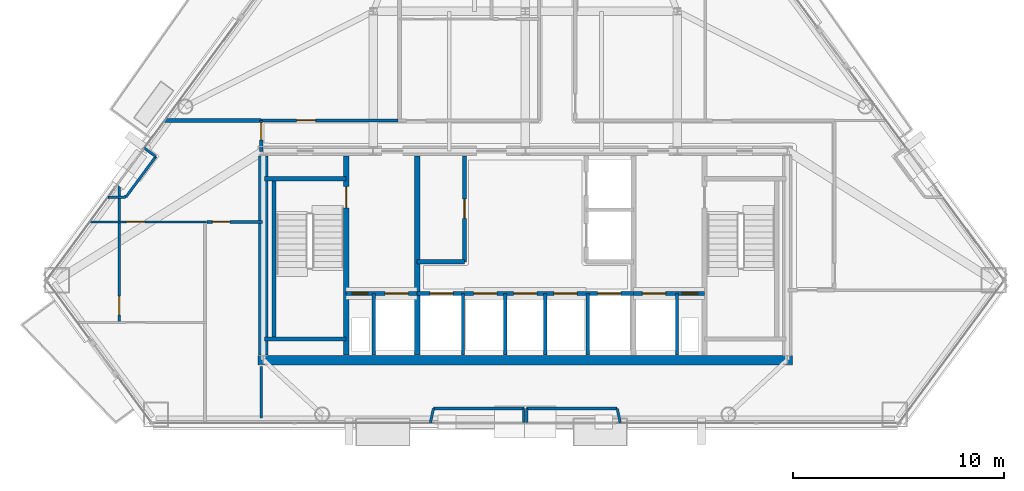
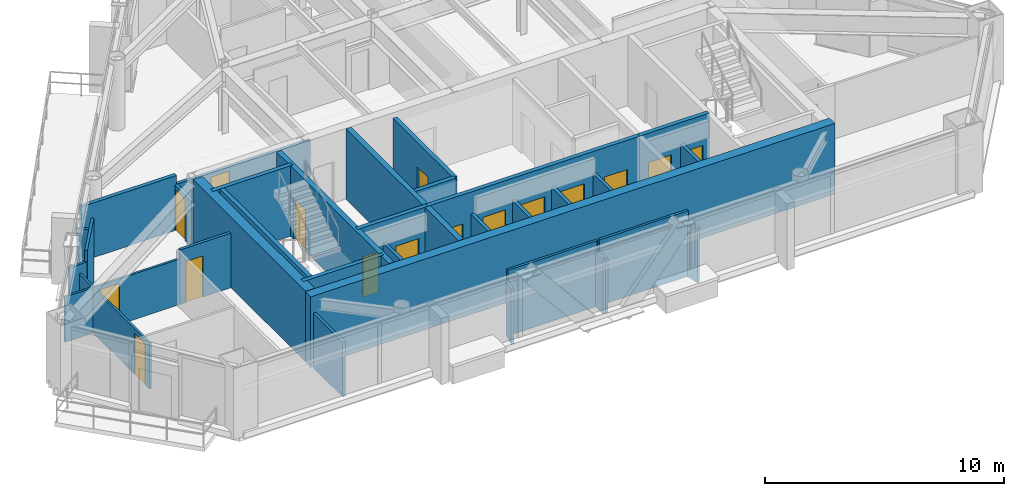
# One storey, part 7 of 11: 34 walls, 16 doors, 16 openings.
"""IFC4 building model written with IfcOpenShell, lengths in metres."""

from ifc_helpers import new_model, si_unit, direction, frame, frame_2d, origin, place, context, subcontext, project, spatial, rectangle, extrude, material, layer, layer_set, type_object, element, fill, save


model = new_model("IFC4")

# Units and contexts
model_context = context("Model", 3, precision=1e-05, world=origin(), true_north=direction((0.0, 1.0)))
body_context = subcontext(model_context, "Body", "Model", "MODEL_VIEW")
ifc_project = project(units=[si_unit("LENGTHUNIT", "METRE"), si_unit("AREAUNIT", "SQUARE_METRE"), si_unit("VOLUMEUNIT", "CUBIC_METRE"), si_unit("PLANEANGLEUNIT", "RADIAN"), si_unit("MASSUNIT", "GRAM", prefix="KILO")], contexts=[model_context])

# Site, building, storey
site_placement = place(None, origin())
site = spatial("IfcSite", under=ifc_project, at=site_placement, CompositionType="ELEMENT")
building_placement = place(site_placement, origin())
building = spatial("IfcBuilding", under=site, at=building_placement, Name="Talgorran Terracotta Tower", CompositionType="ELEMENT")
storey_placement = place(building_placement, frame((0.0, 0.0, 150.89990234375)))
storey = spatial("IfcBuildingStorey", under=building, at=storey_placement, Name="L39", CompositionType="ELEMENT", Elevation=150.89990234375)

# Walls
ifc_material_1 = material(Name="Concrete C50/60", Category="concrete")
ifc_layer_1 = layer(ifc_material_1, 0.199951171875, Name="WT_CORE_200")
ifc_layer_set_1 = layer_set([ifc_layer_1], Name="Concrete C50/60")
wall_type_1 = type_object("IfcWallType", Name="WT_CORE_200", PredefinedType="SOLIDWALL", material=ifc_layer_set_1)
for number, where, z_axis, x_axis, name in (
    (1, (-12.35009765625, -5.52001953125, 0.0), (0.0, 0.0, 1.0), (1.0, 0.0, 0.0), "WL-L39-CW-ST1-N"),
    (2, (-12.35009765625, -13.10009765625, 0.0), (0.0, 0.0, 1.0), (1.0, 0.0, 0.0), "WL-L39-CW-ST1-S"),
):
    element("IfcWall", number, at=place(storey_placement, frame(where, z_axis=z_axis, x_axis=x_axis)), inside=storey, type_object=wall_type_1, Name=name, PredefinedType="SOLIDWALL", context=body_context, shape_type="SweptSolid", body=[
        extrude(rectangle(XDim=3.8701171875, YDim=0.199951171875, at=frame_2d((1.93505859375, 0.0))), origin(), (0.0, 0.0, 1.0), 3.60009765625),
    ])
wall_1_placement = place(storey_placement, frame((-11.89990234375, -13.10009765625, 0.0), z_axis=(0.0, 0.0, 1.0), x_axis=(0.0, 1.0, 0.0)))
element("IfcWall", 3, at=wall_1_placement, inside=storey, type_object=wall_type_1, Name="WL-L39-CW-ST1-W", PredefinedType="SOLIDWALL", context=body_context, shape_type="SweptSolid", body=[
    extrude(rectangle(XDim=7.580078125, YDim=0.199951171875, at=frame_2d((3.7900390625, 0.0))), origin(), (0.0, 0.0, 1.0), 3.60009765625),
])

# Wall, openings, doors
wall_2_placement = place(storey_placement, frame((-8.47998046875, -10.949951171875, 0.0), z_axis=(0.0, 0.0, 1.0), x_axis=(1.0, 0.0, 0.0)))
wall_2 = element("IfcWall", 4, at=wall_2_placement, inside=storey, type_object=wall_type_1, Name="WL-L39-CW-H-SBW", PredefinedType="SOLIDWALL", context=body_context, shape_type="SweptSolid", body=[
    extrude(rectangle(XDim=3.35986328125, YDim=0.199951171875, at=frame_2d((1.679931640625, 0.0))), origin(), (0.0, 0.0, 1.0), 3.60009765625),
])
opening_1_placement = place(wall_2_placement, frame((0.280029296875, 0.0, 0.0)))
opening_1 = element("IfcOpeningElement", 5, at=opening_1_placement, cuts=wall_2, Name="Opening DR-RSW", PredefinedType="OPENING", context=body_context, shape_type="SweptSolid", body=[
    extrude(rectangle(XDim=0.756, YDim=2.054048828125, at=frame_2d((0.375, 1.027099609375))), frame((0.0, 0.10986328125, 0.0), z_axis=(0.0, -1.0, 0.0), x_axis=(1.0, 0.0, 0.0)), (0.0, 0.0, 1.0), 0.219970703125),
])
opening_2_placement = place(wall_2_placement, frame((1.85009765625, 0.0, 0.0)))
opening_2 = element("IfcOpeningElement", 6, at=opening_2_placement, cuts=wall_2, Name="Opening LD-FFL1", PredefinedType="OPENING", context=body_context, shape_type="SweptSolid", body=[
    extrude(rectangle(XDim=1.10609765625, YDim=2.10409765625, at=frame_2d((0.550048828125, 1.052001953125))), frame((0.0, 0.10986328125, 0.0), z_axis=(0.0, -1.0, 0.0), x_axis=(1.0, 0.0, 0.0)), (0.0, 0.0, 1.0), 0.219970703125),
])
ifc_material_2 = material(Name="Brushed Stainless Steel Grade 304", Category="steel")
door_type_1 = type_object("IfcDoorType", Name="DT_LIFT_LD1100", OperationType="DOUBLE_DOOR_SLIDING", PredefinedType="DOOR", material=ifc_material_2)
door_1_placement = place(opening_2_placement, origin())
door_1 = element("IfcDoor", 7, at=door_1_placement, inside=storey, type_object=door_type_1, Name="L39 Lift Landing Door LD-FFL1", OperationType="DOUBLE_DOOR_SLIDING", OverallHeight=2.10009765625, OverallWidth=1.10009765625, PredefinedType="DOOR", context=body_context, shape_type="SweptSolid", body=[
    extrude(rectangle(XDim=1.10009765625, YDim=2.10009765625, at=frame_2d((0.550048828125, 1.050048828125))), frame((0.0, 0.02490234375, 0.0), z_axis=(0.0, -1.0, 0.0), x_axis=(1.0, 0.0, 0.0)), (0.0, 0.0, 1.0), 0.050048828125),
])
fill(opening_2, door_1)
ifc_material_3 = material(Name="Fire-Rated Pressed Steel", Category="steel")
door_type_2 = type_object("IfcDoorType", Name="DT_RISER_750", OperationType="NOTDEFINED", PredefinedType="DOOR", material=ifc_material_3)
door_2_placement = place(opening_1_placement, origin())
door_2 = element("IfcDoor", 8, at=door_2_placement, inside=storey, type_object=door_type_2, Name="DR-RSW", OperationType="SINGLE_SWING_LEFT", OverallHeight=2.050048828125, OverallWidth=0.75, PredefinedType="DOOR", context=body_context, shape_type="SweptSolid", body=[
    extrude(rectangle(XDim=0.75, YDim=2.050048828125, at=frame_2d((0.375, 1.02490234375))), frame((0.0, 0.02490234375, 0.0), z_axis=(0.0, -1.0, 0.0), x_axis=(1.0, 0.0, 0.0)), (0.0, 0.0, 1.0), 0.050048828125),
])
fill(opening_1, door_2)

wall_3_placement = place(storey_placement, frame((-5.1201171875, -10.949951171875, 0.0), z_axis=(0.0, 0.0, 1.0), x_axis=(1.0, 0.0, 0.0)))
wall_3 = element("IfcWall", 9, at=wall_3_placement, inside=storey, type_object=wall_type_1, Name="WL-L39-CW-H-SBC", PredefinedType="SOLIDWALL", context=body_context, shape_type="SweptSolid", body=[
    extrude(rectangle(XDim=10.240234375, YDim=0.199951171875, at=frame_2d((5.1201171875, 0.0))), origin(), (0.0, 0.0, 1.0), 3.60009765625),
])
opening_3_placement = place(wall_3_placement, frame((0.60009765625, 0.0, 0.0)))
opening_3 = element("IfcOpeningElement", 10, at=opening_3_placement, cuts=wall_3, Name="Opening LD-OB1", PredefinedType="OPENING", context=body_context, shape_type="SweptSolid", body=[
    extrude(rectangle(XDim=1.10609765625, YDim=2.10409765625, at=frame_2d((0.550048828125, 1.052001953125))), frame((0.0, 0.10986328125, 0.0), z_axis=(0.0, -1.0, 0.0), x_axis=(1.0, 0.0, 0.0)), (0.0, 0.0, 1.0), 0.219970703125),
])
opening_4_placement = place(wall_3_placement, frame((2.669921875, 0.0, 0.0)))
opening_4 = element("IfcOpeningElement", 11, at=opening_4_placement, cuts=wall_3, Name="Opening LD-PLH1", PredefinedType="OPENING", context=body_context, shape_type="SweptSolid", body=[
    extrude(rectangle(XDim=1.10609765625, YDim=2.10409765625, at=frame_2d((0.550048828125, 1.052001953125))), frame((0.0, 0.10986328125, 0.0), z_axis=(0.0, -1.0, 0.0), x_axis=(1.0, 0.0, 0.0)), (0.0, 0.0, 1.0), 0.219970703125),
])
opening_5_placement = place(wall_3_placement, frame((4.570068359375, 0.0, 0.0)))
opening_5 = element("IfcOpeningElement", 12, at=opening_5_placement, cuts=wall_3, Name="Opening LD-PLH2", PredefinedType="OPENING", context=body_context, shape_type="SweptSolid", body=[
    extrude(rectangle(XDim=1.10609765625, YDim=2.10409765625, at=frame_2d((0.550048828125, 1.052001953125))), frame((0.0, 0.10986328125, 0.0), z_axis=(0.0, -1.0, 0.0), x_axis=(1.0, 0.0, 0.0)), (0.0, 0.0, 1.0), 0.219970703125),
])
opening_6_placement = place(wall_3_placement, frame((6.469970703125, 0.0, 0.0)))
opening_6 = element("IfcOpeningElement", 13, at=opening_6_placement, cuts=wall_3, Name="Opening LD-PLH3", PredefinedType="OPENING", context=body_context, shape_type="SweptSolid", body=[
    extrude(rectangle(XDim=1.10609765625, YDim=2.10409765625, at=frame_2d((0.550048828125, 1.052001953125))), frame((0.0, 0.10986328125, 0.0), z_axis=(0.0, -1.0, 0.0), x_axis=(1.0, 0.0, 0.0)), (0.0, 0.0, 1.0), 0.219970703125),
])
opening_7_placement = place(wall_3_placement, frame((8.5400390625, 0.0, 0.0)))
opening_7 = element("IfcOpeningElement", 14, at=opening_7_placement, cuts=wall_3, Name="Opening LD-SVL1", PredefinedType="OPENING", context=body_context, shape_type="SweptSolid", body=[
    extrude(rectangle(XDim=1.10609765625, YDim=2.10409765625, at=frame_2d((0.550048828125, 1.052001953125))), frame((0.0, 0.10986328125, 0.0), z_axis=(0.0, -1.0, 0.0), x_axis=(1.0, 0.0, 0.0)), (0.0, 0.0, 1.0), 0.219970703125),
])
door_3_placement = place(opening_3_placement, origin())
door_3 = element("IfcDoor", 15, at=door_3_placement, inside=storey, type_object=door_type_1, Name="L39 Lift Landing Door LD-OB1", OperationType="DOUBLE_DOOR_SLIDING", OverallHeight=2.10009765625, OverallWidth=1.10009765625, PredefinedType="DOOR", context=body_context, shape_type="SweptSolid", body=[
    extrude(rectangle(XDim=1.10009765625, YDim=2.10009765625, at=frame_2d((0.550048828125, 1.050048828125))), frame((0.0, 0.02490234375, 0.0), z_axis=(0.0, -1.0, 0.0), x_axis=(1.0, 0.0, 0.0)), (0.0, 0.0, 1.0), 0.050048828125),
])
fill(opening_3, door_3)
door_4_placement = place(opening_4_placement, origin())
door_4 = element("IfcDoor", 16, at=door_4_placement, inside=storey, type_object=door_type_1, Name="L39 Lift Landing Door LD-PLH1", OperationType="DOUBLE_DOOR_SLIDING", OverallHeight=2.10009765625, OverallWidth=1.10009765625, PredefinedType="DOOR", context=body_context, shape_type="SweptSolid", body=[
    extrude(rectangle(XDim=1.10009765625, YDim=2.10009765625, at=frame_2d((0.550048828125, 1.050048828125))), frame((0.0, 0.02490234375, 0.0), z_axis=(0.0, -1.0, 0.0), x_axis=(1.0, 0.0, 0.0)), (0.0, 0.0, 1.0), 0.050048828125),
])
fill(opening_4, door_4)
door_5_placement = place(opening_5_placement, origin())
door_5 = element("IfcDoor", 17, at=door_5_placement, inside=storey, type_object=door_type_1, Name="L39 Lift Landing Door LD-PLH2", OperationType="DOUBLE_DOOR_SLIDING", OverallHeight=2.10009765625, OverallWidth=1.10009765625, PredefinedType="DOOR", context=body_context, shape_type="SweptSolid", body=[
    extrude(rectangle(XDim=1.10009765625, YDim=2.10009765625, at=frame_2d((0.550048828125, 1.050048828125))), frame((0.0, 0.02490234375, 0.0), z_axis=(0.0, -1.0, 0.0), x_axis=(1.0, 0.0, 0.0)), (0.0, 0.0, 1.0), 0.050048828125),
])
fill(opening_5, door_5)
door_6_placement = place(opening_6_placement, origin())
door_6 = element("IfcDoor", 18, at=door_6_placement, inside=storey, type_object=door_type_1, Name="L39 Lift Landing Door LD-PLH3", OperationType="DOUBLE_DOOR_SLIDING", OverallHeight=2.10009765625, OverallWidth=1.10009765625, PredefinedType="DOOR", context=body_context, shape_type="SweptSolid", body=[
    extrude(rectangle(XDim=1.10009765625, YDim=2.10009765625, at=frame_2d((0.550048828125, 1.050048828125))), frame((0.0, 0.02490234375, 0.0), z_axis=(0.0, -1.0, 0.0), x_axis=(1.0, 0.0, 0.0)), (0.0, 0.0, 1.0), 0.050048828125),
])
fill(opening_6, door_6)
door_7_placement = place(opening_7_placement, origin())
door_7 = element("IfcDoor", 19, at=door_7_placement, inside=storey, type_object=door_type_1, Name="L39 Lift Landing Door LD-SVL1", OperationType="DOUBLE_DOOR_SLIDING", OverallHeight=2.10009765625, OverallWidth=1.10009765625, PredefinedType="DOOR", context=body_context, shape_type="SweptSolid", body=[
    extrude(rectangle(XDim=1.10009765625, YDim=2.10009765625, at=frame_2d((0.550048828125, 1.050048828125))), frame((0.0, 0.02490234375, 0.0), z_axis=(0.0, -1.0, 0.0), x_axis=(1.0, 0.0, 0.0)), (0.0, 0.0, 1.0), 0.050048828125),
])
fill(opening_7, door_7)

wall_4_placement = place(storey_placement, frame((5.1201171875, -10.949951171875, 0.0), z_axis=(0.0, 0.0, 1.0), x_axis=(1.0, 0.0, 0.0)))
wall_4 = element("IfcWall", 20, at=wall_4_placement, inside=storey, type_object=wall_type_1, Name="WL-L39-CW-H-SBE", PredefinedType="SOLIDWALL", context=body_context, shape_type="SweptSolid", body=[
    extrude(rectangle(XDim=3.35986328125, YDim=0.199951171875, at=frame_2d((1.679931640625, 0.0))), origin(), (0.0, 0.0, 1.0), 3.60009765625),
])
opening_8_placement = place(wall_4_placement, frame((0.419921875, 0.0, 0.0)))
opening_8 = element("IfcOpeningElement", 21, at=opening_8_placement, cuts=wall_4, Name="Opening LD-FFL2", PredefinedType="OPENING", context=body_context, shape_type="SweptSolid", body=[
    extrude(rectangle(XDim=1.10609765625, YDim=2.10409765625, at=frame_2d((0.550048828125, 1.052001953125))), frame((0.0, 0.10986328125, 0.0), z_axis=(0.0, -1.0, 0.0), x_axis=(1.0, 0.0, 0.0)), (0.0, 0.0, 1.0), 0.219970703125),
])
opening_9_placement = place(wall_4_placement, frame((2.300048828125, 0.0, 0.0)))
opening_9 = element("IfcOpeningElement", 22, at=opening_9_placement, cuts=wall_4, Name="Opening DR-RSE", PredefinedType="OPENING", context=body_context, shape_type="SweptSolid", body=[
    extrude(rectangle(XDim=0.756, YDim=2.054048828125, at=frame_2d((0.375, 1.027099609375))), frame((0.0, 0.10986328125, 0.0), z_axis=(0.0, -1.0, 0.0), x_axis=(1.0, 0.0, 0.0)), (0.0, 0.0, 1.0), 0.219970703125),
])
door_8_placement = place(opening_8_placement, origin())
door_8 = element("IfcDoor", 23, at=door_8_placement, inside=storey, type_object=door_type_1, Name="L39 Lift Landing Door LD-FFL2", OperationType="DOUBLE_DOOR_SLIDING", OverallHeight=2.10009765625, OverallWidth=1.10009765625, PredefinedType="DOOR", context=body_context, shape_type="SweptSolid", body=[
    extrude(rectangle(XDim=1.10009765625, YDim=2.10009765625, at=frame_2d((0.550048828125, 1.050048828125))), frame((0.0, 0.02490234375, 0.0), z_axis=(0.0, -1.0, 0.0), x_axis=(1.0, 0.0, 0.0)), (0.0, 0.0, 1.0), 0.050048828125),
])
fill(opening_8, door_8)
door_9_placement = place(opening_9_placement, origin())
door_9 = element("IfcDoor", 24, at=door_9_placement, inside=storey, type_object=door_type_2, Name="DR-RSE", OperationType="SINGLE_SWING_RIGHT", OverallHeight=2.050048828125, OverallWidth=0.75, PredefinedType="DOOR", context=body_context, shape_type="SweptSolid", body=[
    extrude(rectangle(XDim=0.75, YDim=2.050048828125, at=frame_2d((0.375, 1.02490234375))), frame((0.0, 0.02490234375, 0.0), z_axis=(0.0, -1.0, 0.0), x_axis=(1.0, 0.0, 0.0)), (0.0, 0.0, 1.0), 0.050048828125),
])
fill(opening_9, door_9)

# Wall, opening, door
wall_5_placement = place(storey_placement, frame((-2.8798828125, -9.449951171875, 0.0), z_axis=(0.0, 0.0, 1.0), x_axis=(0.0, 1.0, 0.0)))
wall_5 = element("IfcWall", 25, at=wall_5_placement, inside=storey, type_object=wall_type_1, Name="WL-L39-CW-V-W3", PredefinedType="SOLIDWALL", context=body_context, shape_type="SweptSolid", body=[
    extrude(rectangle(XDim=5.0, YDim=0.199951171875, at=frame_2d((2.5, 0.0))), origin(), (0.0, 0.0, 1.0), 3.35009765625),
])
opening_10_placement = place(wall_5_placement, frame((2.050048828125, 0.0, 0.0)))
opening_10 = element("IfcOpeningElement", 26, at=opening_10_placement, cuts=wall_5, Name="Opening DR-FRPLL-A", PredefinedType="OPENING", context=body_context, shape_type="SweptSolid", body=[
    extrude(rectangle(XDim=0.925921875, YDim=2.10409765625, at=frame_2d((0.4599609375, 1.052001953125))), frame((0.0, 0.10986328125, 0.0), z_axis=(0.0, -1.0, 0.0), x_axis=(1.0, 0.0, 0.0)), (0.0, 0.0, 1.0), 0.219970703125),
])
ifc_material_4 = material(Name="Solid-Core Painted Timber", Category="wood")
door_type_3 = type_object("IfcDoorType", Name="DT_INT_920", OperationType="NOTDEFINED", PredefinedType="DOOR", material=ifc_material_4)
door_10_placement = place(opening_10_placement, origin())
door_10 = element("IfcDoor", 27, at=door_10_placement, inside=storey, type_object=door_type_3, Name="DR-FRPLL-A", OperationType="SINGLE_SWING_LEFT", OverallHeight=2.10009765625, OverallWidth=0.919921875, PredefinedType="DOOR", context=body_context, shape_type="SweptSolid", body=[
    extrude(rectangle(XDim=0.919921875, YDim=2.10009765625, at=frame_2d((0.4599609375, 1.050048828125))), frame((0.0, 0.02490234375, 0.0), z_axis=(0.0, -1.0, 0.0), x_axis=(1.0, 0.0, 0.0)), (0.0, 0.0, 1.0), 0.050048828125),
])
fill(opening_10, door_10)

# Wall
wall_6_placement = place(storey_placement, frame((-5.1201171875, -9.449951171875, 0.0), z_axis=(0.0, 0.0, 1.0), x_axis=(1.0, 0.0, 0.0)))
element("IfcWall", 28, at=wall_6_placement, inside=storey, type_object=wall_type_1, Name="WL-L39-CW-H-W4", PredefinedType="SOLIDWALL", context=body_context, shape_type="SweptSolid", body=[
    extrude(rectangle(XDim=2.240234375, YDim=0.199951171875, at=frame_2d((1.1201171875, 0.0))), origin(), (0.0, 0.0, 1.0), 3.35009765625),
])

# Wall, opening, door
ifc_layer_2 = layer(ifc_material_1, 0.25, Name="WT_CORE_250")
ifc_layer_set_2 = layer_set([ifc_layer_2], Name="Concrete C50/60")
wall_type_2 = type_object("IfcWallType", Name="WT_CORE_250", PredefinedType="SHEAR", material=ifc_layer_set_2)
wall_7_placement = place(storey_placement, frame((-8.47998046875, -13.85009765625, 0.0), z_axis=(0.0, 0.0, 1.0), x_axis=(0.0, 1.0, 0.0)))
wall_7 = element("IfcWall", 29, at=wall_7_placement, inside=storey, type_object=wall_type_2, Name="WL-L39-CW-V-W1", PredefinedType="SHEAR", context=body_context, shape_type="SweptSolid", body=[
    extrude(rectangle(XDim=9.400146484375, YDim=0.25, at=frame_2d((4.7001953125, 0.0))), origin(), (0.0, 0.0, 1.0), 3.60009765625),
])
opening_11_placement = place(wall_7_placement, frame((6.949951171875, 0.0, 0.0)))
opening_11 = element("IfcOpeningElement", 30, at=opening_11_placement, cuts=wall_7, Name="Opening DR-ST01", PredefinedType="OPENING", context=body_context, shape_type="SweptSolid", body=[
    extrude(rectangle(XDim=1.006, YDim=2.10409765625, at=frame_2d((0.5, 1.052001953125))), frame((0.0, 0.135009765625, 0.0), z_axis=(0.0, -1.0, 0.0), x_axis=(1.0, 0.0, 0.0)), (0.0, 0.0, 1.0), 0.27001953125),
])
door_type_4 = type_object("IfcDoorType", Name="DT_FIRE_1000", OperationType="NOTDEFINED", PredefinedType="DOOR", material=ifc_material_3)
door_11_placement = place(opening_11_placement, origin())
door_11 = element("IfcDoor", 31, at=door_11_placement, inside=storey, type_object=door_type_4, Name="DR-ST01", OperationType="SINGLE_SWING_LEFT", OverallHeight=2.10009765625, OverallWidth=1.0, PredefinedType="DOOR", context=body_context, shape_type="SweptSolid", body=[
    extrude(rectangle(XDim=1.0, YDim=2.10009765625, at=frame_2d((0.5, 1.050048828125))), frame((0.0, 0.02490234375, 0.0), z_axis=(0.0, -1.0, 0.0), x_axis=(1.0, 0.0, 0.0)), (0.0, 0.0, 1.0), 0.050048828125),
])
fill(opening_11, door_11)

# Walls
wall_8_placement = place(storey_placement, frame((-5.1201171875, -13.85009765625, 0.0), z_axis=(0.0, 0.0, 1.0), x_axis=(0.0, 1.0, 0.0)))
element("IfcWall", 32, at=wall_8_placement, inside=storey, type_object=wall_type_2, Name="WL-L39-CW-V-W2", PredefinedType="SHEAR", context=body_context, shape_type="SweptSolid", body=[
    extrude(rectangle(XDim=9.400146484375, YDim=0.25, at=frame_2d((4.7001953125, 0.0))), origin(), (0.0, 0.0, 1.0), 3.60009765625),
])
ifc_material_5 = material(Name="Concrete C65/80", Category="concrete")
ifc_layer_3 = layer(ifc_material_5, 0.449951171875, Name="WT_CORE_EXT")
ifc_layer_set_3 = layer_set([ifc_layer_3], Name="Concrete C65/80")
wall_type_3 = type_object("IfcWallType", Name="WT_CORE_EXT", PredefinedType="SHEAR", material=ifc_layer_set_3)
wall_9_placement = place(storey_placement, frame((-12.64990234375, -14.10009765625, 0.0), z_axis=(0.0, 0.0, 1.0), x_axis=(1.0, 0.0, 0.0)))
element("IfcWall", 33, at=wall_9_placement, inside=storey, type_object=wall_type_3, Name="WL-L39-CW-OUT-S", PredefinedType="SHEAR", context=body_context, shape_type="SweptSolid", body=[
    extrude(rectangle(XDim=25.2998046875, YDim=0.449951171875, at=frame_2d((12.64990234375, 0.0))), origin(), (0.0, 0.0, 1.0), 3.60009765625),
])
wall_10_placement = place(storey_placement, frame((-12.39990234375, -13.85009765625, 0.0), z_axis=(0.0, 0.0, 1.0), x_axis=(0.0, 1.0, 0.0)))
element("IfcWall", 34, at=wall_10_placement, inside=storey, type_object=wall_type_3, Name="WL-L39-CW-OUT-W", PredefinedType="SHEAR", context=body_context, shape_type="SweptSolid", body=[
    extrude(rectangle(XDim=9.400146484375, YDim=0.449951171875, at=frame_2d((4.7001953125, 0.0))), origin(), (0.0, 0.0, 1.0), 3.60009765625),
])

# Wall, opening, door
ifc_material_6 = material(Name="Fire-Rated Steel Stud Plasterboard", Category="steel")
ifc_layer_4 = layer(ifc_material_6, 0.14990234375, Name="WT_FIRE_150")
ifc_layer_set_4 = layer_set([ifc_layer_4], Name="Fire-Rated Steel Stud Plasterboard")
wall_type_4 = type_object("IfcWallType", Name="WT_FIRE_150", PredefinedType="PARTITIONING", material=ifc_layer_set_4)
wall_11_placement = place(storey_placement, frame((-12.5, -2.760009765625, 0.0), z_axis=(0.0, 0.0, 1.0), x_axis=(1.0, 0.0, 0.0)))
wall_11 = element("IfcWall", 35, at=wall_11_placement, inside=storey, type_object=wall_type_4, Name="WL-L39-W-L39-R07", PredefinedType="PARTITIONING", context=body_context, shape_type="SweptSolid", body=[
    extrude(rectangle(XDim=6.47802734375, YDim=0.14990234375, at=frame_2d((3.239013671875, 0.0))), origin(), (0.0, 0.0, 1.0), 2.3251953125),
])
opening_12_placement = place(wall_11_placement, frame((1.67431640625, 0.0, 0.0)))
opening_12 = element("IfcOpeningElement", 36, at=opening_12_placement, cuts=wall_11, Name="Opening DR-L39-R08", PredefinedType="OPENING", context=body_context, shape_type="SweptSolid", body=[
    extrude(rectangle(XDim=0.90590234375, YDim=2.10409765625, at=frame_2d((0.449951171875, 1.052001953125))), frame((0.0, 0.0849609375, 0.0), z_axis=(0.0, -1.0, 0.0), x_axis=(1.0, 0.0, 0.0)), (0.0, 0.0, 1.0), 0.169921875),
])
ifc_material_7 = material(Name="Fire-Rated Timber Core", Category="wood")
door_type_5 = type_object("IfcDoorType", Name="DT_FIRE_900", OperationType="NOTDEFINED", PredefinedType="DOOR", material=ifc_material_7)
door_12_placement = place(opening_12_placement, origin())
door_12 = element("IfcDoor", 37, at=door_12_placement, inside=storey, type_object=door_type_5, Name="DR-L39-R08", OperationType="SINGLE_SWING_RIGHT", OverallHeight=2.10009765625, OverallWidth=0.89990234375, PredefinedType="DOOR", context=body_context, shape_type="SweptSolid", body=[
    extrude(rectangle(XDim=0.89990234375, YDim=2.10009765625, at=frame_2d((0.449951171875, 1.050048828125))), frame((0.0, 0.02490234375, 0.0), z_axis=(0.0, -1.0, 0.0), x_axis=(1.0, 0.0, 0.0)), (0.0, 0.0, 1.0), 0.050048828125),
])
fill(opening_12, door_12)

wall_12_placement = place(storey_placement, frame((-12.5, -4.239990234375, 0.0), z_axis=(0.0, 0.0, 1.0), x_axis=(0.0, 1.0, 0.0)))
wall_12 = element("IfcWall", 38, at=wall_12_placement, inside=storey, type_object=wall_type_4, Name="WL-L39-W-L39-R01", PredefinedType="PARTITIONING", context=body_context, shape_type="SweptSolid", body=[
    extrude(rectangle(XDim=1.47998046875, YDim=0.14990234375, at=frame_2d((0.739990234375, 0.0))), origin(), (0.0, 0.0, 1.0), 2.3251953125),
])
opening_13_placement = place(wall_12_placement, frame((0.56005859375, 0.0, 0.0)))
opening_13 = element("IfcOpeningElement", 39, at=opening_13_placement, cuts=wall_12, Name="Opening DR-L39-R01", PredefinedType="OPENING", context=body_context, shape_type="SweptSolid", body=[
    extrude(rectangle(XDim=0.826068359375, YDim=2.10409765625, at=frame_2d((0.41015625, 1.052001953125))), frame((0.0, 0.0849609375, 0.0), z_axis=(0.0, -1.0, 0.0), x_axis=(1.0, 0.0, 0.0)), (0.0, 0.0, 1.0), 0.169921875),
])
ifc_material_8 = material(Name="Moisture-Resistant Solid Timber", Category="wood")
door_type_6 = type_object("IfcDoorType", Name="DT_INT_820", OperationType="NOTDEFINED", PredefinedType="DOOR", material=ifc_material_8)
door_13_placement = place(opening_13_placement, origin())
door_13 = element("IfcDoor", 40, at=door_13_placement, inside=storey, type_object=door_type_6, Name="DR-L39-R01", OperationType="SINGLE_SWING_LEFT", OverallHeight=2.10009765625, OverallWidth=0.820068359375, PredefinedType="DOOR", context=body_context, shape_type="SweptSolid", body=[
    extrude(rectangle(XDim=0.820068359375, YDim=2.10009765625, at=frame_2d((0.41015625, 1.050048828125))), frame((0.0, 0.02490234375, 0.0), z_axis=(0.0, -1.0, 0.0), x_axis=(1.0, 0.0, 0.0)), (0.0, 0.0, 1.0), 0.050048828125),
])
fill(opening_13, door_13)

# Wall
ifc_material_9 = material(Name="Acoustic Stud and Plasterboard")
ifc_layer_5 = layer(ifc_material_9, 0.179931640625, Name="WT_PARTY_200")
ifc_layer_set_5 = layer_set([ifc_layer_5], Name="Acoustic Stud and Plasterboard")
wall_type_5 = type_object("IfcWallType", Name="WT_PARTY_200", PredefinedType="PARTITIONING", material=ifc_layer_set_5)
wall_13_placement = place(storey_placement, frame((-17.073974609375, -2.760009765625, 0.0), z_axis=(0.0, 0.0, 1.0), x_axis=(1.0, 0.0, 0.0)))
element("IfcWall", 41, at=wall_13_placement, inside=storey, type_object=wall_type_5, Name="WL-L39-W-L39-R17", PredefinedType="PARTITIONING", context=body_context, shape_type="SweptSolid", body=[
    extrude(rectangle(XDim=4.573974609375, YDim=0.179931640625, at=frame_2d((2.287109375, 0.0))), origin(), (0.0, 0.0, 1.0), 2.7919921875),
])

# Wall, opening, door
ifc_material_10 = material(Name="Lightweight Steel Stud Partition", Category="steel")
ifc_layer_6 = layer(ifc_material_10, 0.10498046875, Name="WT_PART_110")
ifc_layer_set_6 = layer_set([ifc_layer_6], Name="Lightweight Steel Stud Partition")
wall_type_6 = type_object("IfcWallType", Name="WT_PART_110", PredefinedType="PARTITIONING", material=ifc_layer_set_6)
wall_14_placement = place(storey_placement, frame((-19.219970703125, -12.320068359375, 0.0), z_axis=(0.0, 0.0, 1.0), x_axis=(0.0, 1.0, 0.0)))
wall_14 = element("IfcWall", 42, at=wall_14_placement, inside=storey, type_object=wall_type_6, Name="WL-L39-W-L39-R21", PredefinedType="PARTITIONING", context=body_context, shape_type="SweptSolid", body=[
    extrude(rectangle(XDim=6.654296875, YDim=0.10498046875, at=frame_2d((3.3271484375, 0.0))), origin(), (0.0, 0.0, 1.0), 2.3251953125),
])
opening_14_placement = place(wall_14_placement, frame((0.357421875, 0.0, 0.0)))
opening_14 = element("IfcOpeningElement", 43, at=opening_14_placement, cuts=wall_14, Name="Opening DR-L39-R04", PredefinedType="OPENING", context=body_context, shape_type="SweptSolid", body=[
    extrude(rectangle(XDim=0.8858828125, YDim=2.10409765625, at=frame_2d((0.43994140625, 1.052001953125))), frame((0.0, 0.0625, 0.0), z_axis=(0.0, -1.0, 0.0), x_axis=(1.0, 0.0, 0.0)), (0.0, 0.0, 1.0), 0.125),
])
door_type_7 = type_object("IfcDoorType", Name="DT_INT_880", OperationType="NOTDEFINED", PredefinedType="DOOR", material=ifc_material_4)
door_14_placement = place(opening_14_placement, origin())
door_14 = element("IfcDoor", 44, at=door_14_placement, inside=storey, type_object=door_type_7, Name="DR-L39-R04", OperationType="SINGLE_SWING_RIGHT", OverallHeight=2.10009765625, OverallWidth=0.8798828125, PredefinedType="DOOR", context=body_context, shape_type="SweptSolid", body=[
    extrude(rectangle(XDim=0.8798828125, YDim=2.10009765625, at=frame_2d((0.43994140625, 1.050048828125))), frame((0.0, 0.02490234375, 0.0), z_axis=(0.0, -1.0, 0.0), x_axis=(1.0, 0.0, 0.0)), (0.0, 0.0, 1.0), 0.050048828125),
])
fill(opening_14, door_14)

wall_15_placement = place(storey_placement, frame((-20.618896484375, -7.56005859375, 0.0), z_axis=(0.0, 0.0, 1.0), x_axis=(1.0, 0.0, 0.0)))
wall_15 = element("IfcWall", 45, at=wall_15_placement, inside=storey, type_object=wall_type_6, Name="WL-L39-W-L39-R16", PredefinedType="PARTITIONING", context=body_context, shape_type="SweptSolid", body=[
    extrude(rectangle(XDim=5.538818359375, YDim=0.10498046875, at=frame_2d((2.76953125, 0.0))), origin(), (0.0, 0.0, 1.0), 2.3251953125),
])
opening_15_placement = place(wall_15_placement, frame((1.7353515625, 0.0, 0.0)))
opening_15 = element("IfcOpeningElement", 46, at=opening_15_placement, cuts=wall_15, Name="Opening DR-L39-R16", PredefinedType="OPENING", context=body_context, shape_type="SweptSolid", body=[
    extrude(rectangle(XDim=0.8858828125, YDim=2.10409765625, at=frame_2d((0.43994140625, 1.052001953125))), frame((0.0, 0.0625, 0.0), z_axis=(0.0, -1.0, 0.0), x_axis=(1.0, 0.0, 0.0)), (0.0, 0.0, 1.0), 0.125),
])
door_15_placement = place(opening_15_placement, origin())
door_15 = element("IfcDoor", 47, at=door_15_placement, inside=storey, type_object=door_type_7, Name="DR-L39-R16", OperationType="SINGLE_SWING_RIGHT", OverallHeight=2.10009765625, OverallWidth=0.8798828125, PredefinedType="DOOR", context=body_context, shape_type="SweptSolid", body=[
    extrude(rectangle(XDim=0.8798828125, YDim=2.10009765625, at=frame_2d((0.43994140625, 1.050048828125))), frame((0.0, 0.02490234375, 0.0), z_axis=(0.0, -1.0, 0.0), x_axis=(1.0, 0.0, 0.0)), (0.0, 0.0, 1.0), 0.050048828125),
])
fill(opening_15, door_15)

# Walls
ifc_material_11 = material(Name="Insulated Steel Stud Plasterboard", Category="steel")
ifc_layer_7 = layer(ifc_material_11, 0.1201171875, Name="WT_PART_120")
ifc_layer_set_7 = layer_set([ifc_layer_7], Name="Insulated Steel Stud Plasterboard")
wall_type_7 = type_object("IfcWallType", Name="WT_PART_120", PredefinedType="PARTITIONING", material=ifc_layer_set_7)
for number, where, z_axis, x_axis, name in (
    (48, (-4.349609375, -16.394287109375, 0.0), (0.0, 0.0, 1.0), (1.0, 0.0, 0.0), "WL-L39-BW-L39-01"),
    (49, (0.066650390625, -16.394287109375, 0.0), (0.0, 0.0, 1.0), (1.0, 0.0, 0.0), "WL-L39-BW-L39-06"),
):
    element("IfcWall", number, at=place(storey_placement, frame(where, z_axis=z_axis, x_axis=x_axis)), inside=storey, type_object=wall_type_7, Name=name, PredefinedType="PARTITIONING", context=body_context, shape_type="SweptSolid", body=[
        extrude(rectangle(XDim=4.282958984375, YDim=0.1201171875, at=frame_2d((2.1416015625, 0.0))), origin(), (0.0, 0.0, 1.0), 3.35009765625),
    ])
wall_16_placement = place(storey_placement, frame((-17.489990234375, -4.468017578125, 0.0), z_axis=(0.0, 0.0, 1.0), x_axis=(-0.594053249338, -0.804425718728, 0.0)))
element("IfcWall", 50, at=wall_16_placement, inside=storey, type_object=wall_type_7, Name="WL-L39-BW-L39-08", PredefinedType="PARTITIONING", context=body_context, shape_type="SweptSolid", body=[
    extrude(rectangle(XDim=2.3779296875, YDim=0.1201171875, at=frame_2d((1.18896484375, 0.0))), origin(), (0.0, 0.0, 1.0), 3.35009765625),
])
wall_17_placement = place(storey_placement, frame((-18.902587890625, -6.380859375, 0.0), z_axis=(0.0, 0.0, 1.0), x_axis=(-0.999556038353, -0.029794734305, 0.0)))
element("IfcWall", 51, at=wall_17_placement, inside=storey, type_object=wall_type_7, Name="WL-L39-BW-L39-09", PredefinedType="PARTITIONING", context=body_context, shape_type="SweptSolid", body=[
    extrude(rectangle(XDim=0.852294921875, YDim=0.1201171875, at=frame_2d((0.42626953125, 0.0))), origin(), (0.0, 0.0, 1.0), 2.7919921875),
])
for number, where, z_axis, x_axis, name in (
    (52, (-4.4921875, -17.064453125, 0.0), (0.0, 0.0, 1.0), (0.208093138403, 0.978109015268, 0.0), "WL-L39-BW-L39-03"),
    (53, (4.349609375, -16.394287109375, 0.0), (0.0, 0.0, 1.0), (0.208093138403, -0.978109015268, 0.0), "WL-L39-BW-L39-04"),
):
    element("IfcWall", number, at=place(storey_placement, frame(where, z_axis=z_axis, x_axis=x_axis)), inside=storey, type_object=wall_type_7, Name=name, PredefinedType="PARTITIONING", context=body_context, shape_type="SweptSolid", body=[
        extrude(rectangle(XDim=0.68505859375, YDim=0.1201171875, at=frame_2d((0.342529296875, 0.0))), origin(), (0.0, 0.0, 1.0), 2.7919921875),
    ])
for number, where, z_axis, x_axis, name in (
    (54, (-0.066650390625, -16.394287109375, 0.0), (0.0, 0.0, 1.0), (0.0, -1.0, 0.0), "WL-L39-BW-L39-02"),
    (55, (0.066650390625, -17.064453125, 0.0), (0.0, 0.0, 1.0), (0.0, 1.0, 0.0), "WL-L39-BW-L39-05"),
):
    element("IfcWall", number, at=place(storey_placement, frame(where, z_axis=z_axis, x_axis=x_axis)), inside=storey, type_object=wall_type_7, Name=name, PredefinedType="PARTITIONING", context=body_context, shape_type="SweptSolid", body=[
        extrude(rectangle(XDim=0.670166015625, YDim=0.1201171875, at=frame_2d((0.3349609375, 0.0))), origin(), (0.0, 0.0, 1.0), 2.7919921875),
    ])
wall_18_placement = place(storey_placement, frame((-18.029052734375, -4.070068359375, 0.0), z_axis=(0.0, 0.0, 1.0), x_axis=(0.80452433553, -0.593919686102, 0.0)))
element("IfcWall", 56, at=wall_18_placement, inside=storey, type_object=wall_type_7, Name="WL-L39-BW-L39-07", PredefinedType="PARTITIONING", context=body_context, shape_type="SweptSolid", body=[
    extrude(rectangle(XDim=0.669921875, YDim=0.1201171875, at=frame_2d((0.3349609375, 0.0))), origin(), (0.0, 0.0, 1.0), 2.7919921875),
])

# Wall, opening, door
ifc_material_12 = material(Name="Moisture-Resistant Stud Wall")
ifc_layer_8 = layer(ifc_material_12, 0.135009765625, Name="WT_PART_135")
ifc_layer_set_8 = layer_set([ifc_layer_8], Name="Moisture-Resistant Stud Wall")
wall_type_8 = type_object("IfcWallType", Name="WT_PART_135", PredefinedType="PARTITIONING", material=ifc_layer_set_8)
wall_19_placement = place(storey_placement, frame((-15.077880859375, -7.56005859375, 0.0), z_axis=(0.0, 0.0, 1.0), x_axis=(1.0, 0.0, 0.0)))
wall_19 = element("IfcWall", 57, at=wall_19_placement, inside=storey, type_object=wall_type_8, Name="WL-L39-W-L39-R15", PredefinedType="PARTITIONING", context=body_context, shape_type="SweptSolid", body=[
    extrude(rectangle(XDim=2.637939453125, YDim=0.135009765625, at=frame_2d((1.31884765625, 0.0))), origin(), (0.0, 0.0, 1.0), 2.7919921875),
])
opening_16_placement = place(wall_19_placement, frame((0.2705078125, 0.0, 0.0)))
opening_16 = element("IfcOpeningElement", 58, at=opening_16_placement, cuts=wall_19, Name="Opening DR-L39-R02", PredefinedType="OPENING", context=body_context, shape_type="SweptSolid", body=[
    extrude(rectangle(XDim=0.826068359375, YDim=2.10409765625, at=frame_2d((0.41015625, 1.052001953125))), frame((0.0, 0.07763671875, 0.0), z_axis=(0.0, -1.0, 0.0), x_axis=(1.0, 0.0, 0.0)), (0.0, 0.0, 1.0), 0.155029296875),
])
door_16_placement = place(opening_16_placement, origin())
door_16 = element("IfcDoor", 59, at=door_16_placement, inside=storey, type_object=door_type_6, Name="DR-L39-R02", OperationType="SINGLE_SWING_RIGHT", OverallHeight=2.10009765625, OverallWidth=0.820068359375, PredefinedType="DOOR", context=body_context, shape_type="SweptSolid", body=[
    extrude(rectangle(XDim=0.820068359375, YDim=2.10009765625, at=frame_2d((0.41015625, 1.050048828125))), frame((0.0, 0.02490234375, 0.0), z_axis=(0.0, -1.0, 0.0), x_axis=(1.0, 0.0, 0.0)), (0.0, 0.0, 1.0), 0.050048828125),
])
fill(opening_16, door_16)

# Walls
wall_20_placement = place(storey_placement, frame((-12.5, -14.39990234375, 0.0), z_axis=(0.0, 0.0, 1.0), x_axis=(0.0, -1.0, 0.0)))
element("IfcWall", 60, at=wall_20_placement, inside=storey, type_object=wall_type_8, Name="WL-L39-W-L39-R39", PredefinedType="PARTITIONING", context=body_context, shape_type="SweptSolid", body=[
    extrude(rectangle(XDim=2.45458984375, YDim=0.135009765625, at=frame_2d((1.227294921875, 0.0))), origin(), (0.0, 0.0, 1.0), 2.7919921875),
])
ifc_material_13 = material(Name="Fire-Rated Shaftwall")
ifc_layer_9 = layer(ifc_material_13, 0.159912109375, Name="WT_PART_150")
ifc_layer_set_9 = layer_set([ifc_layer_9], Name="Fire-Rated Shaftwall")
wall_type_9 = type_object("IfcWallType", Name="WT_PART_150", PredefinedType="PARTITIONING", material=ifc_layer_set_9)
for number, where, z_axis, x_axis, name in (
    (61, (-7.179931640625, -13.85009765625, 0.0), (0.0, 0.0, 1.0), (0.0, 1.0, 0.0), "WL-L39-CW-RSW"),
    (62, (7.179931640625, -13.85009765625, 0.0), (0.0, 0.0, 1.0), (0.0, 1.0, 0.0), "WL-L39-CW-RSE"),
    (63, (-2.949951171875, -13.85009765625, 0.0), (0.0, 0.0, 1.0), (0.0, 1.0, 0.0), "WL-L39-CW-OB-E"),
    (64, (2.949951171875, -13.85009765625, 0.0), (0.0, 0.0, 1.0), (0.0, 1.0, 0.0), "WL-L39-CW-SV-W"),
    (65, (-0.949951171875, -13.85009765625, 0.0), (0.0, 0.0, 1.0), (0.0, 1.0, 0.0), "WL-L39-CW-PLH-D1"),
    (66, (0.949951171875, -13.85009765625, 0.0), (0.0, 0.0, 1.0), (0.0, 1.0, 0.0), "WL-L39-CW-PLH-D2"),
):
    element("IfcWall", number, at=place(storey_placement, frame(where, z_axis=z_axis, x_axis=x_axis)), inside=storey, type_object=wall_type_9, Name=name, PredefinedType="PARTITIONING", context=body_context, shape_type="SweptSolid", body=[
        extrude(rectangle(XDim=2.900146484375, YDim=0.159912109375, at=frame_2d((1.4501953125, 0.0))), origin(), (0.0, 0.0, 1.0), 2.47509765625),
    ])

save(model, "model.ifc")
